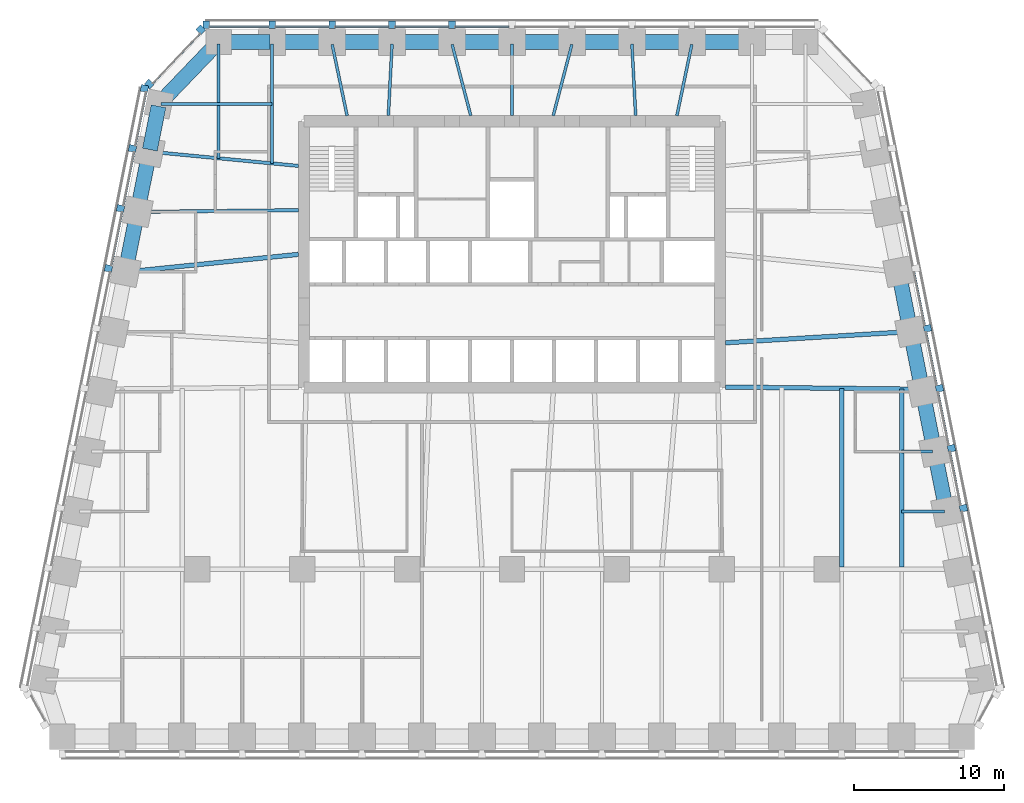
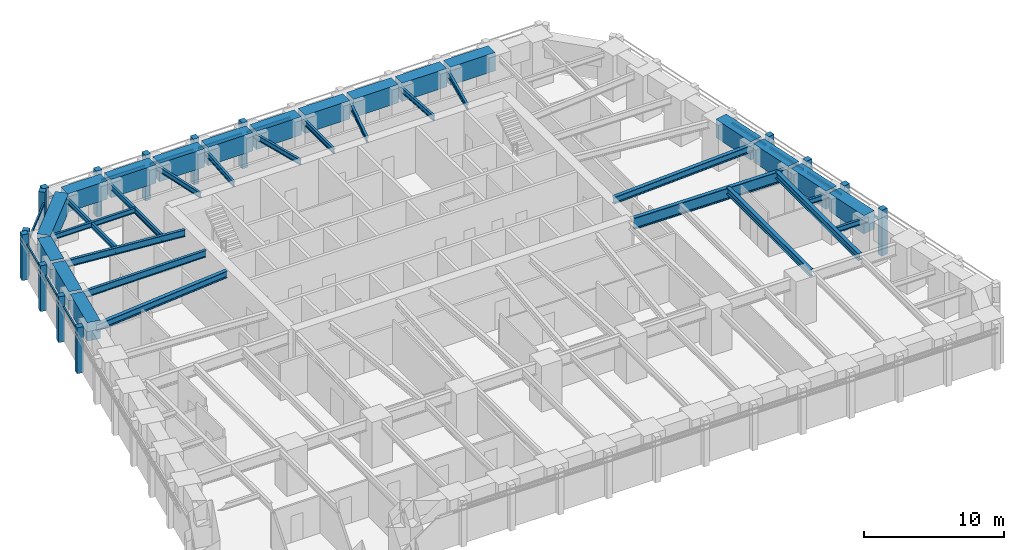
# One storey, part 3 of 10: 36 beams, 28 members, 4 elements without a shape of their own.
"""IFC4 building model written with IfcOpenShell, lengths in metres."""

from ifc_helpers import new_model, si_unit, direction, frame, origin, origin_2d, place, context, subcontext, project, spatial, rectangle, i_section, extrude, material, material_profile, profile_set, type_object, element, aggregate, save


model = new_model("IFC4")

# Units and contexts
model_context = context("Model", 3, precision=1e-05, world=origin(), true_north=direction((0.0, 1.0)))
body_context = subcontext(model_context, "Body", "Model", "MODEL_VIEW")
ifc_project = project(units=[si_unit("LENGTHUNIT", "METRE"), si_unit("AREAUNIT", "SQUARE_METRE"), si_unit("VOLUMEUNIT", "CUBIC_METRE"), si_unit("PLANEANGLEUNIT", "RADIAN"), si_unit("MASSUNIT", "GRAM", prefix="KILO")], contexts=[model_context])

# Site, building, storey
site_placement = place(None, origin())
site = spatial("IfcSite", under=ifc_project, at=site_placement, CompositionType="ELEMENT")
building_placement = place(site_placement, origin())
building = spatial("IfcBuilding", under=site, at=building_placement, Name="Isbrekke Arena Tower", CompositionType="ELEMENT")
storey_placement = place(building_placement, frame((0.0, 0.0, 103.0)))
storey = spatial("IfcBuildingStorey", under=building, at=storey_placement, Name="L22", CompositionType="ELEMENT", Elevation=103.0)

# Beams
ifc_material_1 = material(Name="Steel S355", Category="steel")
ifc_material_profile_1 = material_profile(ifc_material_1, i_section(OverallWidth=0.219970703125, OverallDepth=0.60009765625, WebThickness=0.011962890625, FlangeThickness=0.01904296875, FilletRadius=0.02392578125, at=origin_2d()), Name="IPE 600")
ifc_profile_set_1 = profile_set([ifc_material_profile_1], Name="Steel S355")
beam_type_1 = type_object("IfcBeamType", Name="B1 IPE 600", PredefinedType="BEAM", material=ifc_profile_set_1)
beam_1_placement = place(storey_placement, frame((-24.030517578125, 21.837158203125, 3.550048828125), z_axis=(0.995439798606, -0.095391862082, 0.0), x_axis=(0.095391862082, 0.995439798606, 0.0)))
element("IfcBeam", 1, at=beam_1_placement, inside=storey, type_object=beam_type_1, Name="B1 beam E-W02 L22", PredefinedType="BEAM", context=body_context, shape_type="SweptSolid", body=[
    extrude(i_section(OverallWidth=0.219970703125, OverallDepth=0.60009765625, WebThickness=0.011962890625, FlangeThickness=0.01904296875, FilletRadius=0.02392578125, at=origin_2d()), origin(), (0.0, 0.0, 1.0), 9.825439453125),
])
beam_2_placement = place(storey_placement, frame((-24.83984375, 17.838134765625, 3.550048828125), z_axis=(0.999944260169, 0.010558245831, 0.0), x_axis=(-0.010558245831, 0.999944260169, 0.0)))
element("IfcBeam", 2, at=beam_2_placement, inside=storey, type_object=beam_type_1, Name="B1 beam E-W03 L22", PredefinedType="BEAM", context=body_context, shape_type="SweptSolid", body=[
    extrude(i_section(OverallWidth=0.219970703125, OverallDepth=0.60009765625, WebThickness=0.011962890625, FlangeThickness=0.01904296875, FilletRadius=0.02392578125, at=origin_2d()), origin(), (0.0, 0.0, 1.0), 10.59033203125),
])
ifc_material_2 = material(Name="Steel S355", Category="steel")
ifc_material_profile_2 = material_profile(ifc_material_2, i_section(OverallWidth=0.18994140625, OverallDepth=0.449951171875, WebThickness=0.009521484375, FlangeThickness=0.0146484375, FilletRadius=0.02099609375, at=origin_2d()), Name="IPE 450")
ifc_profile_set_2 = profile_set([ifc_material_profile_2], Name="Steel S355")
beam_type_2 = type_object("IfcBeamType", Name="B2 IPE 450", PredefinedType="BEAM", material=ifc_profile_set_2)
beam_3_placement = place(storey_placement, frame((28.841064453125, -2.161865234375, 3.625), z_axis=(-1.0, 0.0, 0.0), x_axis=(0.0, -1.0, 0.0)))
element("IfcBeam", 3, at=beam_3_placement, inside=storey, type_object=beam_type_2, Name="B2 beam E-E04 L22", PredefinedType="BEAM", context=body_context, shape_type="SweptSolid", body=[
    extrude(i_section(OverallWidth=0.18994140625, OverallDepth=0.449951171875, WebThickness=0.009521484375, FlangeThickness=0.0146484375, FilletRadius=0.02099609375, at=origin_2d()), origin(), (0.0, 0.0, 1.0), 2.841064453125),
])
beam_4_placement = place(storey_placement, frame((28.041015625, 1.838134765625, 3.625), z_axis=(-1.0, 0.0, 0.0), x_axis=(0.0, -1.0, 0.0)))
element("IfcBeam", 4, at=beam_4_placement, inside=storey, type_object=beam_type_2, Name="B2 beam E-E05 L22", PredefinedType="BEAM", context=body_context, shape_type="SweptSolid", body=[
    extrude(i_section(OverallWidth=0.18994140625, OverallDepth=0.449951171875, WebThickness=0.009521484375, FlangeThickness=0.0146484375, FilletRadius=0.02099609375, at=origin_2d()), origin(), (0.0, 0.0, 1.0), 2.041015625),
])
beam_5_placement = place(storey_placement, frame((-23.40283203125, 25.029296875, 3.625), z_axis=(1.0, 0.0, 0.0), x_axis=(0.0, 1.0, 0.0)))
element("IfcBeam", 5, at=beam_5_placement, inside=storey, type_object=beam_type_2, Name="B2 beam E-W01 L22", PredefinedType="BEAM", context=body_context, shape_type="SweptSolid", body=[
    extrude(i_section(OverallWidth=0.18994140625, OverallDepth=0.449951171875, WebThickness=0.009521484375, FlangeThickness=0.0146484375, FilletRadius=0.02099609375, at=origin_2d()), origin(), (0.0, 0.0, 1.0), 7.40283203125),
])
ifc_material_3 = material(Name="Steel S355", Category="steel")
ifc_material_profile_3 = material_profile(ifc_material_3, i_section(OverallWidth=0.18994140625, OverallDepth=0.449951171875, WebThickness=0.009521484375, FlangeThickness=0.0146484375, FilletRadius=0.02099609375, at=origin_2d()), Name="IPE 450")
ifc_profile_set_3 = profile_set([ifc_material_profile_3], Name="Steel S355")
beam_type_3 = type_object("IfcBeamType", Name="B3 IPE 450", PredefinedType="BEAM", material=ifc_profile_set_3)
beam_6_placement = place(storey_placement, frame((-16.0, 29.02490234375, 3.625), z_axis=(0.0, -1.0, 0.0), x_axis=(1.0, 0.0, 0.0)))
element("IfcBeam", 6, at=beam_6_placement, inside=storey, type_object=beam_type_3, Name="B3 beam N-N10 L22", PredefinedType="BEAM", context=body_context, shape_type="SweptSolid", body=[
    extrude(i_section(OverallWidth=0.18994140625, OverallDepth=0.449951171875, WebThickness=0.009521484375, FlangeThickness=0.0146484375, FilletRadius=0.02099609375, at=origin_2d()), origin(), (0.0, 0.0, 1.0), 7.957275390625),
])
beam_7_placement = place(storey_placement, frame((-19.574951171875, 29.02490234375, 3.625), z_axis=(0.0, -1.0, 0.0), x_axis=(1.0, 0.0, 0.0)))
element("IfcBeam", 7, at=beam_7_placement, inside=storey, type_object=beam_type_3, Name="B3 beam N-N11 L22", PredefinedType="BEAM", context=body_context, shape_type="SweptSolid", body=[
    extrude(i_section(OverallWidth=0.18994140625, OverallDepth=0.449951171875, WebThickness=0.009521484375, FlangeThickness=0.0146484375, FilletRadius=0.02099609375, at=origin_2d()), origin(), (0.0, 0.0, 1.0), 7.61474609375),
])
beam_8_placement = place(storey_placement, frame((11.99609375, 29.005859375, 3.625), z_axis=(-0.20499748459, -0.978762499952, 0.0), x_axis=(0.978762499952, -0.20499748459, 0.0)))
element("IfcBeam", 8, at=beam_8_placement, inside=storey, type_object=beam_type_3, Name="B3 beam N-N03 L22", PredefinedType="BEAM", context=body_context, shape_type="SweptSolid", body=[
    extrude(i_section(OverallWidth=0.18994140625, OverallDepth=0.449951171875, WebThickness=0.009521484375, FlangeThickness=0.0146484375, FilletRadius=0.02099609375, at=origin_2d()), origin(), (0.0, 0.0, 1.0), 4.859130859375),
])
beam_9_placement = place(storey_placement, frame((8.000244140625, 29.02001953125, 3.625), z_axis=(0.052287879538, -0.998632053187, 0.0), x_axis=(0.998632053187, 0.052287879538, 0.0)))
element("IfcBeam", 9, at=beam_9_placement, inside=storey, type_object=beam_type_3, Name="B3 beam N-N04 L22", PredefinedType="BEAM", context=body_context, shape_type="SweptSolid", body=[
    extrude(i_section(OverallWidth=0.18994140625, OverallDepth=0.449951171875, WebThickness=0.009521484375, FlangeThickness=0.0146484375, FilletRadius=0.02099609375, at=origin_2d()), origin(), (0.0, 0.0, 1.0), 4.776611328125),
])
beam_10_placement = place(storey_placement, frame((3.993896484375, 29.001708984375, 3.625), z_axis=(-0.253245319824, -0.967402092197, 0.0), x_axis=(0.967402092197, -0.253245319824, 0.0)))
element("IfcBeam", 10, at=beam_10_placement, inside=storey, type_object=beam_type_3, Name="B3 beam N-N05 L22", PredefinedType="BEAM", context=body_context, shape_type="SweptSolid", body=[
    extrude(i_section(OverallWidth=0.18994140625, OverallDepth=0.449951171875, WebThickness=0.009521484375, FlangeThickness=0.0146484375, FilletRadius=0.02099609375, at=origin_2d()), origin(), (0.0, 0.0, 1.0), 4.911865234375),
])
beam_11_placement = place(storey_placement, frame((0.0, 29.02490234375, 3.625), z_axis=(0.0, -1.0, 0.0), x_axis=(1.0, 0.0, 0.0)))
element("IfcBeam", 11, at=beam_11_placement, inside=storey, type_object=beam_type_3, Name="B3 beam N-N06 L22", PredefinedType="BEAM", context=body_context, shape_type="SweptSolid", body=[
    extrude(i_section(OverallWidth=0.18994140625, OverallDepth=0.449951171875, WebThickness=0.009521484375, FlangeThickness=0.0146484375, FilletRadius=0.02099609375, at=origin_2d()), origin(), (0.0, 0.0, 1.0), 4.77490234375),
])
beam_12_placement = place(storey_placement, frame((-3.993896484375, 29.001708984375, 3.625), z_axis=(0.253245319824, -0.967402092197, 0.0), x_axis=(0.967402092197, 0.253245319824, 0.0)))
element("IfcBeam", 12, at=beam_12_placement, inside=storey, type_object=beam_type_3, Name="B3 beam N-N07 L22", PredefinedType="BEAM", context=body_context, shape_type="SweptSolid", body=[
    extrude(i_section(OverallWidth=0.18994140625, OverallDepth=0.449951171875, WebThickness=0.009521484375, FlangeThickness=0.0146484375, FilletRadius=0.02099609375, at=origin_2d()), origin(), (0.0, 0.0, 1.0), 4.911865234375),
])
beam_13_placement = place(storey_placement, frame((-8.000244140625, 29.02001953125, 3.625), z_axis=(-0.052287879538, -0.998632053187, 0.0), x_axis=(0.998632053187, -0.052287879538, 0.0)))
element("IfcBeam", 13, at=beam_13_placement, inside=storey, type_object=beam_type_3, Name="B3 beam N-N08 L22", PredefinedType="BEAM", context=body_context, shape_type="SweptSolid", body=[
    extrude(i_section(OverallWidth=0.18994140625, OverallDepth=0.449951171875, WebThickness=0.009521484375, FlangeThickness=0.0146484375, FilletRadius=0.02099609375, at=origin_2d()), origin(), (0.0, 0.0, 1.0), 4.776611328125),
])
beam_14_placement = place(storey_placement, frame((-11.99609375, 29.005859375, 3.625), z_axis=(0.20499748459, -0.978762499952, 0.0), x_axis=(0.978762499952, 0.20499748459, 0.0)))
element("IfcBeam", 14, at=beam_14_placement, inside=storey, type_object=beam_type_3, Name="B3 beam N-N09 L22", PredefinedType="BEAM", context=body_context, shape_type="SweptSolid", body=[
    extrude(i_section(OverallWidth=0.18994140625, OverallDepth=0.449951171875, WebThickness=0.009521484375, FlangeThickness=0.0146484375, FilletRadius=0.02099609375, at=origin_2d()), origin(), (0.0, 0.0, 1.0), 4.859130859375),
])
ifc_material_4 = material(Name="Steel S355", Category="steel")
ifc_material_profile_4 = material_profile(ifc_material_4, i_section(OverallWidth=0.300048828125, OverallDepth=0.60009765625, WebThickness=0.015380859375, FlangeThickness=0.030029296875, FilletRadius=0.027099609375, at=origin_2d()), Name="HEB 600")
ifc_profile_set_4 = profile_set([ifc_material_profile_4], Name="Steel S355")
beam_type_4 = type_object("IfcBeamType", Name="B7 HEB 600", PredefinedType="BEAM", material=ifc_profile_set_4)
beam_15_placement = place(storey_placement, frame((22.0, -5.84912109375, 3.550048828125), z_axis=(0.0, 1.0, 0.0), x_axis=(-1.0, 0.0, 0.0)))
element("IfcBeam", 15, at=beam_15_placement, inside=storey, type_object=beam_type_4, Name="B7 beam C-M13 L22", PredefinedType="BEAM", context=body_context, shape_type="SweptSolid", body=[
    extrude(i_section(OverallWidth=0.300048828125, OverallDepth=0.60009765625, WebThickness=0.015380859375, FlangeThickness=0.030029296875, FilletRadius=0.027099609375, at=origin_2d()), origin(), (0.0, 0.0, 1.0), 11.91064453125),
])
beam_16_placement = place(storey_placement, frame((26.0, -5.84912109375, 3.550048828125), z_axis=(0.0, 1.0, 0.0), x_axis=(-1.0, 0.0, 0.0)))
element("IfcBeam", 16, at=beam_16_placement, inside=storey, type_object=beam_type_4, Name="B7 beam C-M14 L22", PredefinedType="BEAM", context=body_context, shape_type="SweptSolid", body=[
    extrude(i_section(OverallWidth=0.300048828125, OverallDepth=0.60009765625, WebThickness=0.015380859375, FlangeThickness=0.030029296875, FilletRadius=0.027099609375, at=origin_2d()), origin(), (0.0, 0.0, 1.0), 11.864990234375),
])
beam_17_placement = place(storey_placement, frame((26.431884765625, 9.837646484375, 3.550048828125), z_axis=(-0.998172191876, -0.060434057993, 0.0), x_axis=(0.060434057993, -0.998172191876, 0.0)))
element("IfcBeam", 17, at=beam_17_placement, inside=storey, type_object=beam_type_4, Name="B7 beam E-E07 L22", PredefinedType="BEAM", context=body_context, shape_type="SweptSolid", body=[
    extrude(i_section(OverallWidth=0.300048828125, OverallDepth=0.60009765625, WebThickness=0.015380859375, FlangeThickness=0.030029296875, FilletRadius=0.027099609375, at=origin_2d()), origin(), (0.0, 0.0, 1.0), 12.2041015625),
])
beam_18_placement = place(storey_placement, frame((-25.6259765625, 13.83984375, 3.550048828125), z_axis=(0.994839949319, 0.10145676537, 0.0), x_axis=(-0.10145676537, 0.994839949319, 0.0)))
element("IfcBeam", 18, at=beam_18_placement, inside=storey, type_object=beam_type_4, Name="B7 beam E-W04 L22", PredefinedType="BEAM", context=body_context, shape_type="SweptSolid", body=[
    extrude(i_section(OverallWidth=0.300048828125, OverallDepth=0.60009765625, WebThickness=0.015380859375, FlangeThickness=0.030029296875, FilletRadius=0.027099609375, at=origin_2d()), origin(), (0.0, 0.0, 1.0), 11.43505859375),
])

# Curtain wall, members
ifc_material_5 = material(Name="Glazed aluminium curtain wall", Category="aluminium")
curtain_wall_type = type_object("IfcCurtainWallType", Name="CWM TOWER CURTAIN WALL MID ZONE", PredefinedType="USERDEFINED", material=ifc_material_5)
curtain_wall_1_placement = place(storey_placement, origin())
curtain_wall_1 = element("IfcCurtainWall", 19, at=curtain_wall_1_placement, inside=storey, type_object=curtain_wall_type, Name="CWM curtain wall L22-E", ObjectType="TOWER CURTAIN WALL MID ZONE", PredefinedType="USERDEFINED")
ifc_material_6 = material(Name="Aluminium mullion, pale brick slip cladding", Category="masonry")
ifc_material_profile_5 = material_profile(ifc_material_6, rectangle(XDim=0.449951171875, YDim=0.5, at=origin_2d()), Name="PIER 450X500")
ifc_profile_set_5 = profile_set([ifc_material_profile_5], Name="Aluminium mullion, pale brick slip cladding")
member_type_1 = type_object("IfcMemberType", Name="CWM-M PIER MULLION 450 x 500", PredefinedType="MULLION", material=ifc_profile_set_5)
member_1_placement = place(storey_placement, frame((30.11865234375, -1.936279296875, 0.0), z_axis=(0.0, 0.0, 1.0), x_axis=(-0.196116135138, 0.980580675691, 0.0)))
member_1 = element("IfcMember", 20, at=member_1_placement, type_object=member_type_1, Name="CWM-M mullion 4", PredefinedType="MULLION", context=body_context, shape_type="SweptSolid", body=[
    extrude(rectangle(XDim=0.449951171875, YDim=0.5, at=origin_2d()), origin(), (0.0, 0.0, 1.0), 4.0),
])
member_2_placement = place(storey_placement, frame((29.318603515625, 2.063720703125, 0.0), z_axis=(0.0, 0.0, 1.0), x_axis=(-0.196116135138, 0.980580675691, 0.0)))
member_2 = element("IfcMember", 21, at=member_2_placement, type_object=member_type_1, Name="CWM-M mullion 5", PredefinedType="MULLION", context=body_context, shape_type="SweptSolid", body=[
    extrude(rectangle(XDim=0.449951171875, YDim=0.5, at=origin_2d()), origin(), (0.0, 0.0, 1.0), 4.0),
])
member_3_placement = place(storey_placement, frame((28.518798828125, 6.063720703125, 0.0), z_axis=(0.0, 0.0, 1.0), x_axis=(-0.196116135138, 0.980580675691, 0.0)))
member_3 = element("IfcMember", 22, at=member_3_placement, type_object=member_type_1, Name="CWM-M mullion 6", PredefinedType="MULLION", context=body_context, shape_type="SweptSolid", body=[
    extrude(rectangle(XDim=0.449951171875, YDim=0.5, at=origin_2d()), origin(), (0.0, 0.0, 1.0), 4.0),
])
member_4_placement = place(storey_placement, frame((27.71875, 10.063720703125, 0.0), z_axis=(0.0, 0.0, 1.0), x_axis=(-0.196116135138, 0.980580675691, 0.0)))
member_4 = element("IfcMember", 23, at=member_4_placement, type_object=member_type_1, Name="CWM-M mullion 7", PredefinedType="MULLION", context=body_context, shape_type="SweptSolid", body=[
    extrude(rectangle(XDim=0.449951171875, YDim=0.5, at=origin_2d()), origin(), (0.0, 0.0, 1.0), 4.0),
])

curtain_wall_2_placement = place(storey_placement, origin())
curtain_wall_2 = element("IfcCurtainWall", 24, at=curtain_wall_2_placement, inside=storey, type_object=curtain_wall_type, Name="CWM curtain wall L22-N", ObjectType="TOWER CURTAIN WALL MID ZONE", PredefinedType="USERDEFINED")
member_5_placement = place(storey_placement, frame((-4.0, 30.324951171875, 0.0), z_axis=(0.0, 0.0, 1.0), x_axis=(-1.0, 0.0, 0.0)))
member_5 = element("IfcMember", 25, at=member_5_placement, type_object=member_type_1, Name="CWM-M mullion 7", PredefinedType="MULLION", context=body_context, shape_type="SweptSolid", body=[
    extrude(rectangle(XDim=0.449951171875, YDim=0.5, at=origin_2d()), origin(), (0.0, 0.0, 1.0), 4.0),
])
member_6_placement = place(storey_placement, frame((-8.0, 30.324951171875, 0.0), z_axis=(0.0, 0.0, 1.0), x_axis=(-1.0, 0.0, 0.0)))
member_6 = element("IfcMember", 26, at=member_6_placement, type_object=member_type_1, Name="CWM-M mullion 8", PredefinedType="MULLION", context=body_context, shape_type="SweptSolid", body=[
    extrude(rectangle(XDim=0.449951171875, YDim=0.5, at=origin_2d()), origin(), (0.0, 0.0, 1.0), 4.0),
])
member_7_placement = place(storey_placement, frame((-12.0, 30.324951171875, 0.0), z_axis=(0.0, 0.0, 1.0), x_axis=(-1.0, 0.0, 0.0)))
member_7 = element("IfcMember", 27, at=member_7_placement, type_object=member_type_1, Name="CWM-M mullion 9", PredefinedType="MULLION", context=body_context, shape_type="SweptSolid", body=[
    extrude(rectangle(XDim=0.449951171875, YDim=0.5, at=origin_2d()), origin(), (0.0, 0.0, 1.0), 4.0),
])
member_8_placement = place(storey_placement, frame((-16.0, 30.324951171875, 0.0), z_axis=(0.0, 0.0, 1.0), x_axis=(-1.0, 0.0, 0.0)))
member_8 = element("IfcMember", 28, at=member_8_placement, type_object=member_type_1, Name="CWM-M mullion 10", PredefinedType="MULLION", context=body_context, shape_type="SweptSolid", body=[
    extrude(rectangle(XDim=0.449951171875, YDim=0.5, at=origin_2d()), origin(), (0.0, 0.0, 1.0), 4.0),
])
member_9_placement = place(storey_placement, frame((-20.39990234375, 30.324951171875, 0.0), z_axis=(0.0, 0.0, 1.0), x_axis=(-1.0, 0.0, 0.0)))
member_9 = element("IfcMember", 29, at=member_9_placement, type_object=member_type_1, Name="CWM-M mullion 11", PredefinedType="MULLION", context=body_context, shape_type="SweptSolid", body=[
    extrude(rectangle(XDim=0.449951171875, YDim=0.5, at=origin_2d()), origin(), (0.0, 0.0, 1.0), 4.0),
])

curtain_wall_3_placement = place(storey_placement, origin())
curtain_wall_3 = element("IfcCurtainWall", 30, at=curtain_wall_3_placement, inside=storey, type_object=curtain_wall_type, Name="CWM curtain wall L22-NW", ObjectType="TOWER CURTAIN WALL MID ZONE", PredefinedType="USERDEFINED")
member_10_placement = place(storey_placement, frame((-20.759033203125, 29.985107421875, 0.0), z_axis=(0.0, 0.0, 1.0), x_axis=(-0.68874946192, -0.72499943359, 0.0)))
member_10 = element("IfcMember", 31, at=member_10_placement, type_object=member_type_1, Name="CWM-M mullion 1", PredefinedType="MULLION", context=body_context, shape_type="SweptSolid", body=[
    extrude(rectangle(XDim=0.449951171875, YDim=0.5, at=origin_2d()), origin(), (0.0, 0.0, 1.0), 4.0),
])
member_11_placement = place(storey_placement, frame((-24.207763671875, 26.35498046875, 0.0), z_axis=(0.0, 0.0, 1.0), x_axis=(-0.68874946192, -0.72499943359, 0.0)))
member_11 = element("IfcMember", 32, at=member_11_placement, type_object=member_type_1, Name="CWM-M mullion 2", PredefinedType="MULLION", context=body_context, shape_type="SweptSolid", body=[
    extrude(rectangle(XDim=0.449951171875, YDim=0.5, at=origin_2d()), origin(), (0.0, 0.0, 1.0), 4.0),
])

curtain_wall_4_placement = place(storey_placement, origin())
curtain_wall_4 = element("IfcCurtainWall", 33, at=curtain_wall_4_placement, inside=storey, type_object=curtain_wall_type, Name="CWM curtain wall L22-W", ObjectType="TOWER CURTAIN WALL MID ZONE", PredefinedType="USERDEFINED")
member_12_placement = place(storey_placement, frame((-24.518798828125, 26.063720703125, 0.0), z_axis=(0.0, 0.0, 1.0), x_axis=(-0.196116135138, -0.980580675691, 0.0)))
member_12 = element("IfcMember", 34, at=member_12_placement, type_object=member_type_1, Name="CWM-M mullion 1", PredefinedType="MULLION", context=body_context, shape_type="SweptSolid", body=[
    extrude(rectangle(XDim=0.449951171875, YDim=0.5, at=origin_2d()), origin(), (0.0, 0.0, 1.0), 4.0),
])
member_13_placement = place(storey_placement, frame((-25.318603515625, 22.063720703125, 0.0), z_axis=(0.0, 0.0, 1.0), x_axis=(-0.196116135138, -0.980580675691, 0.0)))
member_13 = element("IfcMember", 35, at=member_13_placement, type_object=member_type_1, Name="CWM-M mullion 2", PredefinedType="MULLION", context=body_context, shape_type="SweptSolid", body=[
    extrude(rectangle(XDim=0.449951171875, YDim=0.5, at=origin_2d()), origin(), (0.0, 0.0, 1.0), 4.0),
])
member_14_placement = place(storey_placement, frame((-26.11865234375, 18.063720703125, 0.0), z_axis=(0.0, 0.0, 1.0), x_axis=(-0.196116135138, -0.980580675691, 0.0)))
member_14 = element("IfcMember", 36, at=member_14_placement, type_object=member_type_1, Name="CWM-M mullion 3", PredefinedType="MULLION", context=body_context, shape_type="SweptSolid", body=[
    extrude(rectangle(XDim=0.449951171875, YDim=0.5, at=origin_2d()), origin(), (0.0, 0.0, 1.0), 4.0),
])
member_15_placement = place(storey_placement, frame((-26.918701171875, 14.063720703125, 0.0), z_axis=(0.0, 0.0, 1.0), x_axis=(-0.196116135138, -0.980580675691, 0.0)))
member_15 = element("IfcMember", 37, at=member_15_placement, type_object=member_type_1, Name="CWM-M mullion 4", PredefinedType="MULLION", context=body_context, shape_type="SweptSolid", body=[
    extrude(rectangle(XDim=0.449951171875, YDim=0.5, at=origin_2d()), origin(), (0.0, 0.0, 1.0), 4.0),
])

# Member
ifc_material_7 = material(Name="Aluminium transom", Category="aluminium")
ifc_material_profile_6 = material_profile(ifc_material_7, rectangle(XDim=0.1201171875, YDim=0.199951171875, at=origin_2d()), Name="TRANSOM 120X200")
ifc_profile_set_6 = profile_set([ifc_material_profile_6], Name="Aluminium transom")
member_type_2 = type_object("IfcMemberType", Name="CWM-T TRANSOM 120 x 200", PredefinedType="USERDEFINED", material=ifc_profile_set_6)
member_16_placement = place(storey_placement, frame((29.927490234375, -1.7451171875, 3.0), z_axis=(-0.196090262229, 0.980585849918, 0.0), x_axis=(-0.980585849918, -0.196090262229, 0.0)))
member_16 = element("IfcMember", 38, at=member_16_placement, type_object=member_type_2, Name="CWM-T transom 4", ObjectType="TRANSOM", PredefinedType="USERDEFINED", context=body_context, shape_type="SweptSolid", body=[
    extrude(rectangle(XDim=0.1201171875, YDim=0.199951171875, at=origin_2d()), origin(), (0.0, 0.0, 1.0), 3.62939453125),
])

member_17_placement = place(storey_placement, frame((29.12744140625, 2.2548828125, 3.0), z_axis=(-0.196090262229, 0.980585849918, 0.0), x_axis=(-0.980585849918, -0.196090262229, 0.0)))
member_17 = element("IfcMember", 39, at=member_17_placement, type_object=member_type_2, Name="CWM-T transom 5", ObjectType="TRANSOM", PredefinedType="USERDEFINED", context=body_context, shape_type="SweptSolid", body=[
    extrude(rectangle(XDim=0.1201171875, YDim=0.199951171875, at=origin_2d()), origin(), (0.0, 0.0, 1.0), 3.62939453125),
])

member_18_placement = place(storey_placement, frame((28.327392578125, 6.2548828125, 3.0), z_axis=(-0.196090262229, 0.980585849918, 0.0), x_axis=(-0.980585849918, -0.196090262229, 0.0)))
member_18 = element("IfcMember", 40, at=member_18_placement, type_object=member_type_2, Name="CWM-T transom 6", ObjectType="TRANSOM", PredefinedType="USERDEFINED", context=body_context, shape_type="SweptSolid", body=[
    extrude(rectangle(XDim=0.1201171875, YDim=0.199951171875, at=origin_2d()), origin(), (0.0, 0.0, 1.0), 3.62939453125),
])

member_19_placement = place(storey_placement, frame((27.527587890625, 10.2548828125, 3.0), z_axis=(-0.196154943734, 0.980572913173, 0.0), x_axis=(-0.980572913173, -0.196154943734, 0.0)))
member_19 = element("IfcMember", 41, at=member_19_placement, type_object=member_type_2, Name="CWM-T transom 7", ObjectType="TRANSOM", PredefinedType="USERDEFINED", context=body_context, shape_type="SweptSolid", body=[
    extrude(rectangle(XDim=0.1201171875, YDim=0.199951171875, at=origin_2d()), origin(), (0.0, 0.0, 1.0), 3.62939453125),
])

aggregate(curtain_wall_1, [member_1, member_2, member_3, member_4, member_16, member_17, member_18, member_19])

member_20_placement = place(storey_placement, frame((-0.22509765625, 30.175048828125, 3.0), z_axis=(-1.0, 0.0, 0.0), x_axis=(0.0, -1.0, 0.0)))
member_20 = element("IfcMember", 42, at=member_20_placement, type_object=member_type_2, Name="CWM-T transom 6", ObjectType="TRANSOM", PredefinedType="USERDEFINED", context=body_context, shape_type="SweptSolid", body=[
    extrude(rectangle(XDim=0.1201171875, YDim=0.199951171875, at=origin_2d()), origin(), (0.0, 0.0, 1.0), 3.5498046875),
])

member_21_placement = place(storey_placement, frame((-4.22509765625, 30.175048828125, 3.0), z_axis=(-1.0, 0.0, 0.0), x_axis=(0.0, -1.0, 0.0)))
member_21 = element("IfcMember", 43, at=member_21_placement, type_object=member_type_2, Name="CWM-T transom 7", ObjectType="TRANSOM", PredefinedType="USERDEFINED", context=body_context, shape_type="SweptSolid", body=[
    extrude(rectangle(XDim=0.1201171875, YDim=0.199951171875, at=origin_2d()), origin(), (0.0, 0.0, 1.0), 3.5498046875),
])

member_22_placement = place(storey_placement, frame((-8.22509765625, 30.175048828125, 3.0), z_axis=(-1.0, 0.0, 0.0), x_axis=(0.0, -1.0, 0.0)))
member_22 = element("IfcMember", 44, at=member_22_placement, type_object=member_type_2, Name="CWM-T transom 8", ObjectType="TRANSOM", PredefinedType="USERDEFINED", context=body_context, shape_type="SweptSolid", body=[
    extrude(rectangle(XDim=0.1201171875, YDim=0.199951171875, at=origin_2d()), origin(), (0.0, 0.0, 1.0), 3.5498046875),
])

member_23_placement = place(storey_placement, frame((-12.22509765625, 30.175048828125, 3.0), z_axis=(-1.0, 0.0, 0.0), x_axis=(0.0, -1.0, 0.0)))
member_23 = element("IfcMember", 45, at=member_23_placement, type_object=member_type_2, Name="CWM-T transom 9", ObjectType="TRANSOM", PredefinedType="USERDEFINED", context=body_context, shape_type="SweptSolid", body=[
    extrude(rectangle(XDim=0.1201171875, YDim=0.199951171875, at=origin_2d()), origin(), (0.0, 0.0, 1.0), 3.5498046875),
])

member_24_placement = place(storey_placement, frame((-16.22509765625, 30.175048828125, 3.0), z_axis=(-1.0, 0.0, 0.0), x_axis=(0.0, -1.0, 0.0)))
member_24 = element("IfcMember", 46, at=member_24_placement, type_object=member_type_2, Name="CWM-T transom 10", ObjectType="TRANSOM", PredefinedType="USERDEFINED", context=body_context, shape_type="SweptSolid", body=[
    extrude(rectangle(XDim=0.1201171875, YDim=0.199951171875, at=origin_2d()), origin(), (0.0, 0.0, 1.0), 3.949951171875),
])

aggregate(curtain_wall_2, [member_5, member_6, member_7, member_8, member_9, member_20, member_21, member_22, member_23, member_24])

member_25_placement = place(storey_placement, frame((-20.80517578125, 29.71875, 3.0), z_axis=(-0.688739606035, -0.725008796552, 0.0), x_axis=(0.725008796552, -0.688739606035, 0.0)))
member_25 = element("IfcMember", 47, at=member_25_placement, type_object=member_type_2, Name="CWM-T transom 1", ObjectType="TRANSOM", PredefinedType="USERDEFINED", context=body_context, shape_type="SweptSolid", body=[
    extrude(rectangle(XDim=0.1201171875, YDim=0.199951171875, at=origin_2d()), origin(), (0.0, 0.0, 1.0), 4.55712890625),
])

aggregate(curtain_wall_3, [member_10, member_11, member_25])

member_26_placement = place(storey_placement, frame((-24.415771484375, 25.813720703125, 3.0), z_axis=(-0.196090262229, -0.980585849918, 0.0), x_axis=(0.980585849918, -0.196090262229, 0.0)))
member_26 = element("IfcMember", 48, at=member_26_placement, type_object=member_type_2, Name="CWM-T transom 1", ObjectType="TRANSOM", PredefinedType="USERDEFINED", context=body_context, shape_type="SweptSolid", body=[
    extrude(rectangle(XDim=0.1201171875, YDim=0.199951171875, at=origin_2d()), origin(), (0.0, 0.0, 1.0), 3.62939453125),
])

member_27_placement = place(storey_placement, frame((-25.2158203125, 21.813720703125, 3.0), z_axis=(-0.196090262229, -0.980585849918, 0.0), x_axis=(0.980585849918, -0.196090262229, 0.0)))
member_27 = element("IfcMember", 49, at=member_27_placement, type_object=member_type_2, Name="CWM-T transom 2", ObjectType="TRANSOM", PredefinedType="USERDEFINED", context=body_context, shape_type="SweptSolid", body=[
    extrude(rectangle(XDim=0.1201171875, YDim=0.199951171875, at=origin_2d()), origin(), (0.0, 0.0, 1.0), 3.62939453125),
])

member_28_placement = place(storey_placement, frame((-26.015625, 17.813720703125, 3.0), z_axis=(-0.196154943734, -0.980572913173, 0.0), x_axis=(0.980572913173, -0.196154943734, 0.0)))
member_28 = element("IfcMember", 50, at=member_28_placement, type_object=member_type_2, Name="CWM-T transom 3", ObjectType="TRANSOM", PredefinedType="USERDEFINED", context=body_context, shape_type="SweptSolid", body=[
    extrude(rectangle(XDim=0.1201171875, YDim=0.199951171875, at=origin_2d()), origin(), (0.0, 0.0, 1.0), 3.62939453125),
])

aggregate(curtain_wall_4, [member_12, member_13, member_14, member_15, member_26, member_27, member_28])

# Beams
ifc_material_8 = material(Name="Steel S355", Category="steel")
ifc_material_profile_7 = material_profile(ifc_material_8, i_section(OverallWidth=0.302001953125, OverallDepth=1.008056640625, WebThickness=0.02099609375, FlangeThickness=0.0400390625, FilletRadius=0.030029296875, at=origin_2d()), Name="HEM 1000")
ifc_profile_set_7 = profile_set([ifc_material_profile_7], Name="Steel S355")
beam_type_5 = type_object("IfcBeamType", Name="G2 HEM 1000", PredefinedType="BEAM", material=ifc_profile_set_7)
beam_19_placement = place(storey_placement, frame((14.25, 6.14990234375, 3.345947265625), z_axis=(0.999934928157, -0.011407867963, 0.0), x_axis=(0.011407867963, 0.999934928157, 0.0)))
element("IfcBeam", 51, at=beam_19_placement, inside=storey, type_object=beam_type_5, Name="G2 beam G2-E L22", PredefinedType="BEAM", context=body_context, shape_type="SweptSolid", body=[
    extrude(i_section(OverallWidth=0.302001953125, OverallDepth=1.008056640625, WebThickness=0.02099609375, FlangeThickness=0.0400390625, FilletRadius=0.030029296875, at=origin_2d()), origin(), (0.0, 0.0, 1.0), 13.140380859375),
])
ifc_material_9 = material(Name="Concrete B80 (C80/95)", Category="concrete")
ifc_material_profile_8 = material_profile(ifc_material_9, rectangle(XDim=1.0, YDim=1.60009765625, at=origin_2d()), Name="RC 1000x1600")
ifc_profile_set_8 = profile_set([ifc_material_profile_8], Name="Concrete B80 (C80/95)")
beam_type_6 = type_object("IfcBeamType", Name="SB2 RC 1000 x 1600", PredefinedType="SPANDREL", material=ifc_profile_set_8)
for number, where, z_axis, x_axis, name in (
    (52, (28.961669921875, -2.0146484375, 3.199951171875), (-0.196128558387, 0.980578190959, 0.0), (-0.980578190959, -0.196128558387, 0.0), "SB2 spandrel E04-E05 L22"),
    (53, (28.16162109375, 1.9853515625, 3.199951171875), (-0.196128558387, 0.980578190959, 0.0), (-0.980578190959, -0.196128558387, 0.0), "SB2 spandrel E05-E06 L22"),
    (54, (27.361572265625, 5.9853515625, 3.199951171875), (-0.196128558387, 0.980578190959, 0.0), (-0.980578190959, -0.196128558387, 0.0), "SB2 spandrel E06-E07 L22"),
):
    element("IfcBeam", number, at=place(storey_placement, frame(where, z_axis=z_axis, x_axis=x_axis)), inside=storey, type_object=beam_type_6, Name=name, PredefinedType="SPANDREL", context=body_context, shape_type="SweptSolid", body=[
        extrude(rectangle(XDim=1.0, YDim=1.60009765625, at=origin_2d()), origin(), (0.0, 0.0, 1.0), 3.779296875),
    ])
beam_20_placement = place(storey_placement, frame((26.5615234375, 9.9853515625, 3.199951171875), z_axis=(-0.1960664412, 0.980590613169, 0.0), x_axis=(-0.980590613169, -0.1960664412, 0.0)))
element("IfcBeam", 55, at=beam_20_placement, inside=storey, type_object=beam_type_6, Name="SB2 spandrel E07-E08 L22", PredefinedType="SPANDREL", context=body_context, shape_type="SweptSolid", body=[
    extrude(rectangle(XDim=1.0, YDim=1.60009765625, at=origin_2d()), origin(), (0.0, 0.0, 1.0), 3.779052734375),
])
for number, where, z_axis, x_axis, name in (
    (56, (15.85009765625, 29.175048828125, 3.199951171875), (-1.0, 0.0, 0.0), (0.0, -1.0, 0.0), "SB2 spandrel N02-N03 L22"),
    (57, (11.85009765625, 29.175048828125, 3.199951171875), (-1.0, 0.0, 0.0), (0.0, -1.0, 0.0), "SB2 spandrel N03-N04 L22"),
    (58, (7.85009765625, 29.175048828125, 3.199951171875), (-1.0, 0.0, 0.0), (0.0, -1.0, 0.0), "SB2 spandrel N04-N05 L22"),
    (59, (3.85009765625, 29.175048828125, 3.199951171875), (-1.0, 0.0, 0.0), (0.0, -1.0, 0.0), "SB2 spandrel N05-N06 L22"),
    (60, (-0.14990234375, 29.175048828125, 3.199951171875), (-1.0, 0.0, 0.0), (0.0, -1.0, 0.0), "SB2 spandrel N06-N07 L22"),
    (61, (-4.14990234375, 29.175048828125, 3.199951171875), (-1.0, 0.0, 0.0), (0.0, -1.0, 0.0), "SB2 spandrel N07-N08 L22"),
    (62, (-8.14990234375, 29.175048828125, 3.199951171875), (-1.0, 0.0, 0.0), (0.0, -1.0, 0.0), "SB2 spandrel N08-N09 L22"),
    (63, (-12.14990234375, 29.175048828125, 3.199951171875), (-1.0, 0.0, 0.0), (0.0, -1.0, 0.0), "SB2 spandrel N09-N10 L22"),
):
    element("IfcBeam", number, at=place(storey_placement, frame(where, z_axis=z_axis, x_axis=x_axis)), inside=storey, type_object=beam_type_6, Name=name, PredefinedType="SPANDREL", context=body_context, shape_type="SweptSolid", body=[
        extrude(rectangle(XDim=1.0, YDim=1.60009765625, at=origin_2d()), origin(), (0.0, 0.0, 1.0), 3.7001953125),
    ])
beam_21_placement = place(storey_placement, frame((-16.14990234375, 29.175048828125, 3.199951171875), z_axis=(-1.0, 0.0, 0.0), x_axis=(0.0, -1.0, 0.0)))
element("IfcBeam", 64, at=beam_21_placement, inside=storey, type_object=beam_type_6, Name="SB2 spandrel N10-N11 L22", PredefinedType="SPANDREL", context=body_context, shape_type="SweptSolid", body=[
    extrude(rectangle(XDim=1.0, YDim=1.60009765625, at=origin_2d()), origin(), (0.0, 0.0, 1.0), 3.275146484375),
])
beam_22_placement = place(storey_placement, frame((-19.678955078125, 29.066650390625, 3.199951171875), z_axis=(-0.692339547635, -0.721571861134, 0.0), x_axis=(0.721571861134, -0.692339547635, 0.0)))
element("IfcBeam", 65, at=beam_22_placement, inside=storey, type_object=beam_type_6, Name="SB2 spandrel N11-W01 L22", PredefinedType="SPANDREL", context=body_context, shape_type="SweptSolid", body=[
    extrude(rectangle(XDim=1.0, YDim=1.60009765625, at=origin_2d()), origin(), (0.0, 0.0, 1.0), 5.4453125),
])
beam_23_placement = place(storey_placement, frame((-23.582275390625, 24.882080078125, 3.199951171875), z_axis=(-0.196116135138, -0.980580675691, 0.0), x_axis=(0.980580675691, -0.196116135138, 0.0)))
element("IfcBeam", 66, at=beam_23_placement, inside=storey, type_object=beam_type_6, Name="SB2 spandrel W01-W02 L22", PredefinedType="SPANDREL", context=body_context, shape_type="SweptSolid", body=[
    extrude(rectangle(XDim=1.0, YDim=1.60009765625, at=origin_2d()), origin(), (0.0, 0.0, 1.0), 2.9541015625),
])
for number, where, z_axis, x_axis, name in (
    (67, (-24.220458984375, 21.691162109375, 3.199951171875), (-0.196128558387, -0.980578190959, 0.0), (0.980578190959, -0.196128558387, 0.0), "SB2 spandrel W02-W03 L22"),
    (68, (-25.0205078125, 17.691162109375, 3.199951171875), (-0.196128558387, -0.980578190959, 0.0), (0.980578190959, -0.196128558387, 0.0), "SB2 spandrel W03-W04 L22"),
):
    element("IfcBeam", number, at=place(storey_placement, frame(where, z_axis=z_axis, x_axis=x_axis)), inside=storey, type_object=beam_type_6, Name=name, PredefinedType="SPANDREL", context=body_context, shape_type="SweptSolid", body=[
        extrude(rectangle(XDim=1.0, YDim=1.60009765625, at=origin_2d()), origin(), (0.0, 0.0, 1.0), 3.779296875),
    ])

save(model, "model.ifc")
